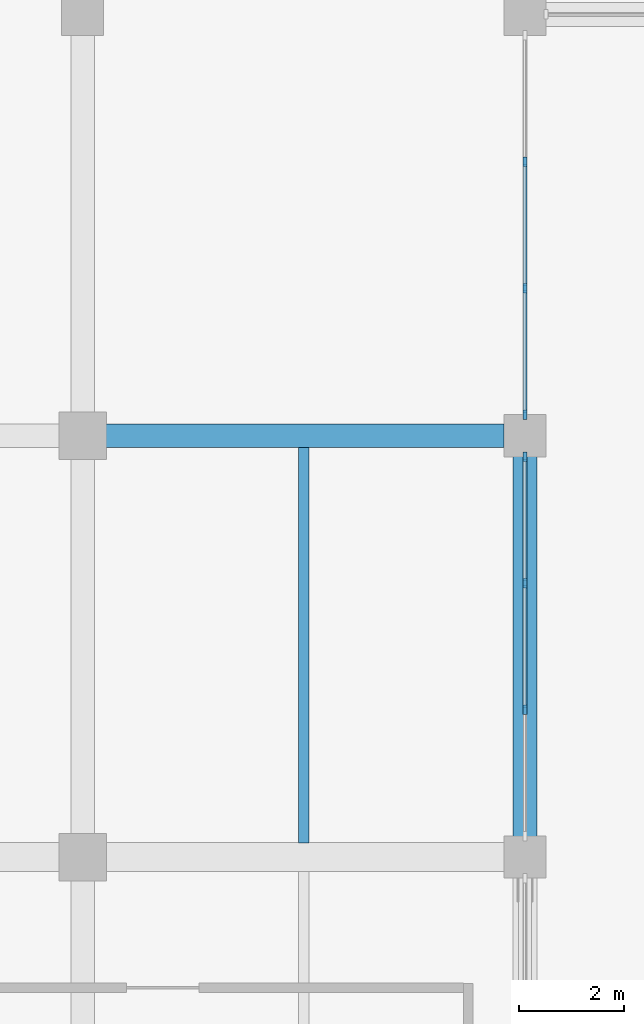
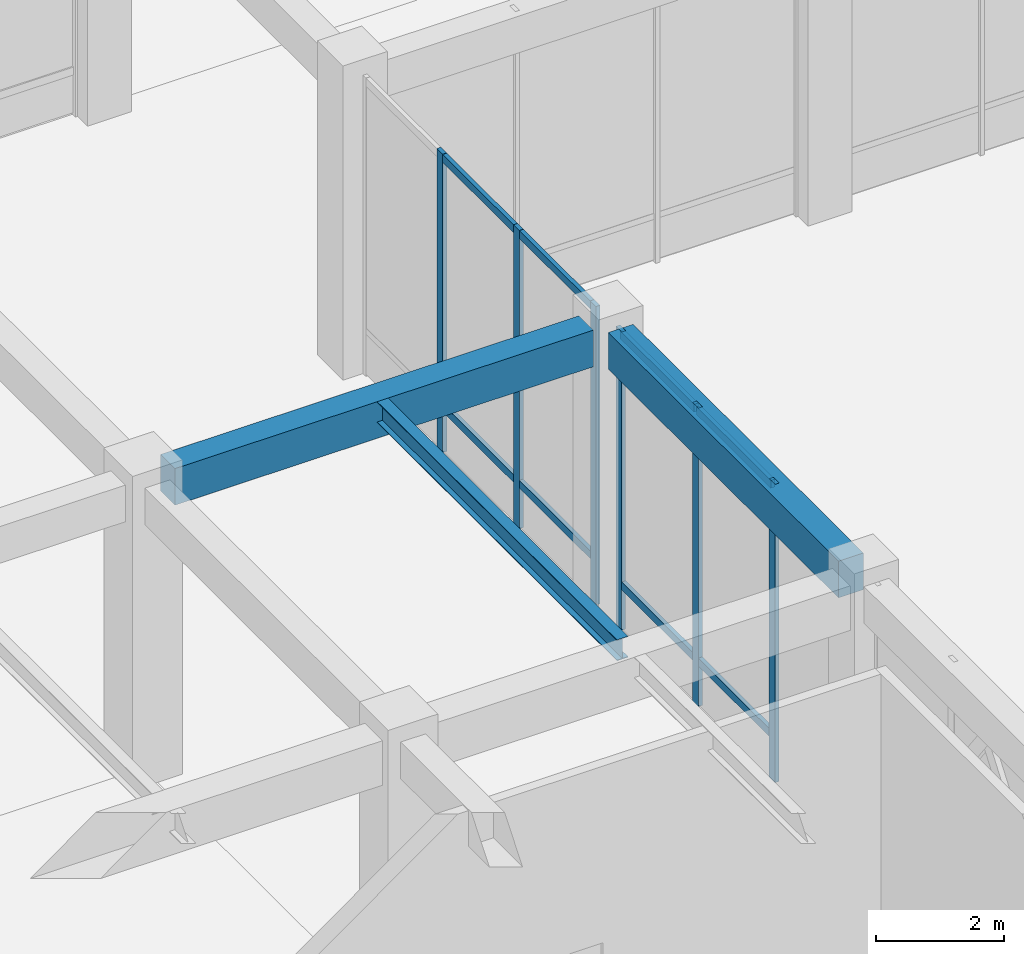
# One storey, part 25 of 76: 14 members, 3 beams, 2 elements without a shape of their own.
"""IFC4 building model written with IfcOpenShell, lengths in metres."""

from ifc_helpers import new_model, si_unit, direction, frame, origin, origin_2d, place, context, subcontext, project, spatial, rectangle, i_section, extrude, material, layer, layer_set, material_profile, profile_set, type_object, element, aggregate, save


model = new_model("IFC4")

# Units and contexts
model_context = context("Model", 3, precision=1e-05, world=origin(), true_north=direction((0.0, 1.0)))
body_context = subcontext(model_context, "Body", "Model", "MODEL_VIEW")
ifc_project = project(units=[si_unit("LENGTHUNIT", "METRE"), si_unit("AREAUNIT", "SQUARE_METRE"), si_unit("VOLUMEUNIT", "CUBIC_METRE"), si_unit("PLANEANGLEUNIT", "RADIAN"), si_unit("MASSUNIT", "GRAM", prefix="KILO")], contexts=[model_context])

# Site, building, storey
site_placement = place(None, origin())
site = spatial("IfcSite", under=ifc_project, at=site_placement, CompositionType="ELEMENT")
building_placement = place(site_placement, origin())
building = spatial("IfcBuilding", under=site, at=building_placement, Name="Naruveol Harbour Congress Hotel", CompositionType="ELEMENT")
storey_placement = place(building_placement, origin())
storey = spatial("IfcBuildingStorey", under=building, at=storey_placement, Name="L00", CompositionType="ELEMENT", Elevation=0.0)

# Beams
ifc_material_1 = material(Name="Concrete C40/50", Category="concrete")
ifc_material_profile_1 = material_profile(ifc_material_1, rectangle(XDim=0.449951171875, YDim=0.699951171875, at=origin_2d()), Name="RCB-450x700")
ifc_profile_set_1 = profile_set([ifc_material_profile_1], Name="Concrete C40/50")
beam_type_1 = type_object("IfcBeamType", Name="RC SPANDREL BEAM 450X700", PredefinedType="SPANDREL", material=ifc_profile_set_1)
beam_1_placement = place(storey_placement, frame((59.24609375, 56.0, 5.35009765625), z_axis=(1.0, 0.0, 0.0), x_axis=(0.0, 1.0, 0.0)))
element("IfcBeam", 1, at=beam_1_placement, inside=storey, type_object=beam_type_1, Name="Floor girder L01 SPB1", PredefinedType="SPANDREL", context=body_context, shape_type="SweptSolid", body=[
    extrude(rectangle(XDim=0.449951171875, YDim=0.699951171875, at=origin_2d()), origin(), (0.0, 0.0, 1.0), 7.557861328125),
])
beam_2_placement = place(storey_placement, frame((67.199951171875, 48.39599609375, 5.35009765625), z_axis=(0.0, 1.0, 0.0), x_axis=(-1.0, 0.0, 0.0)))
element("IfcBeam", 2, at=beam_2_placement, inside=storey, type_object=beam_type_1, Name="Transverse girder L01 SPB1", PredefinedType="SPANDREL", context=body_context, shape_type="SweptSolid", body=[
    extrude(rectangle(XDim=0.449951171875, YDim=0.699951171875, at=origin_2d()), origin(), (0.0, 0.0, 1.0), 7.2080078125),
])
ifc_material_2 = material(Name="Steel SN490", Category="steel")
ifc_material_profile_2 = material_profile(ifc_material_2, i_section(OverallWidth=0.199951171875, OverallDepth=0.39990234375, WebThickness=0.008056640625, FlangeThickness=0.012939453125, at=origin_2d()), Name="H-400x200x8x13")
ifc_profile_set_2 = profile_set([ifc_material_profile_2], Name="Steel SN490")
beam_type_2 = type_object("IfcBeamType", Name="STEEL SECONDARY JOIST H400", PredefinedType="JOIST", material=ifc_profile_set_2)
beam_3_placement = place(storey_placement, frame((63.0, 48.27099609375, 5.5), z_axis=(0.0, 1.0, 0.0), x_axis=(-1.0, 0.0, 0.0)))
element("IfcBeam", 3, at=beam_3_placement, inside=storey, type_object=beam_type_2, Name="Secondary floor joist L01 SJ1", PredefinedType="JOIST", context=body_context, shape_type="SweptSolid", body=[
    extrude(i_section(OverallWidth=0.199951171875, OverallDepth=0.39990234375, WebThickness=0.008056640625, FlangeThickness=0.012939453125, at=origin_2d()), origin(), (0.0, 0.0, 1.0), 7.508056640625),
])

# Curtain wall, members
ifc_material_3 = material(Name="Low-E Curtain Wall System", Category="glass")
ifc_layer = layer(ifc_material_3, 0.179931640625)
ifc_layer_set = layer_set([ifc_layer], Name="Low-E Curtain Wall System")
curtain_wall_type = type_object("IfcCurtainWallType", Name="UNITISED CURTAIN WALL CW-CTW-28 7200X5700", PredefinedType="USERDEFINED", material=ifc_layer_set)
curtain_wall_1_placement = place(storey_placement, origin())
curtain_wall_1 = element("IfcCurtainWall", 4, at=curtain_wall_1_placement, inside=storey, type_object=curtain_wall_type, Name="Unitised curtain wall CW-CTW-28 L00", ObjectType="UNITISED GLAZING", PredefinedType="USERDEFINED")
ifc_material_4 = material(Name="Anodised Aluminium 6063-T6", Category="aluminium")
ifc_material_profile_3 = material_profile(ifc_material_4, rectangle(XDim=0.074951171875, YDim=0.179931640625, at=origin_2d()), Name="ALU-75x180")
ifc_profile_set_3 = profile_set([ifc_material_profile_3], Name="Anodised Aluminium 6063-T6")
member_type_1 = type_object("IfcMemberType", Name="THERMAL ALUMINIUM MULLION 75X180", PredefinedType="MULLION", material=ifc_profile_set_3)
member_1_placement = place(storey_placement, frame((67.199951171875, 50.800048828125, 0.0), z_axis=(0.0, 0.0, 1.0), x_axis=(1.0, 0.0, 0.0)))
member_1 = element("IfcMember", 5, at=member_1_placement, type_object=member_type_1, Name="Curtain wall mullion CW-L00-0067-M1", PredefinedType="MULLION", context=body_context, shape_type="SweptSolid", body=[
    extrude(rectangle(XDim=0.074951171875, YDim=0.179931640625, at=origin_2d()), origin(), (0.0, 0.0, 1.0), 5.699951171875),
])
member_2_placement = place(storey_placement, frame((67.199951171875, 53.199951171875, 0.0), z_axis=(0.0, 0.0, 1.0), x_axis=(1.0, 0.0, 0.0)))
member_2 = element("IfcMember", 6, at=member_2_placement, type_object=member_type_1, Name="Curtain wall mullion CW-L00-0067-M2", PredefinedType="MULLION", context=body_context, shape_type="SweptSolid", body=[
    extrude(rectangle(XDim=0.074951171875, YDim=0.179931640625, at=origin_2d()), origin(), (0.0, 0.0, 1.0), 5.699951171875),
])
member_3_placement = place(storey_placement, frame((67.199951171875, 55.60009765625, 0.0), z_axis=(0.0, 0.0, 1.0), x_axis=(1.0, 0.0, 0.0)))
member_3 = element("IfcMember", 7, at=member_3_placement, type_object=member_type_1, Name="Curtain wall mullion CW-L00-0067-M3", PredefinedType="MULLION", context=body_context, shape_type="SweptSolid", body=[
    extrude(rectangle(XDim=0.074951171875, YDim=0.179931640625, at=origin_2d()), origin(), (0.0, 0.0, 1.0), 5.699951171875),
])

curtain_wall_2_placement = place(storey_placement, origin())
curtain_wall_2 = element("IfcCurtainWall", 8, at=curtain_wall_2_placement, inside=storey, type_object=curtain_wall_type, Name="Unitised curtain wall CW-CTW-28 L00", ObjectType="UNITISED GLAZING", PredefinedType="USERDEFINED")
member_4_placement = place(storey_placement, frame((67.199951171875, 56.39990234375, 0.0), z_axis=(0.0, 0.0, 1.0), x_axis=(1.0, 0.0, 0.0)))
member_4 = element("IfcMember", 9, at=member_4_placement, type_object=member_type_1, Name="Curtain wall mullion CW-L00-0069-M0", PredefinedType="MULLION", context=body_context, shape_type="SweptSolid", body=[
    extrude(rectangle(XDim=0.074951171875, YDim=0.179931640625, at=origin_2d()), origin(), (0.0, 0.0, 1.0), 5.699951171875),
])
member_5_placement = place(storey_placement, frame((67.199951171875, 58.800048828125, 0.0), z_axis=(0.0, 0.0, 1.0), x_axis=(1.0, 0.0, 0.0)))
member_5 = element("IfcMember", 10, at=member_5_placement, type_object=member_type_1, Name="Curtain wall mullion CW-L00-0069-M1", PredefinedType="MULLION", context=body_context, shape_type="SweptSolid", body=[
    extrude(rectangle(XDim=0.074951171875, YDim=0.179931640625, at=origin_2d()), origin(), (0.0, 0.0, 1.0), 5.699951171875),
])
member_6_placement = place(storey_placement, frame((67.199951171875, 61.199951171875, 0.0), z_axis=(0.0, 0.0, 1.0), x_axis=(1.0, 0.0, 0.0)))
member_6 = element("IfcMember", 11, at=member_6_placement, type_object=member_type_1, Name="Curtain wall mullion CW-L00-0069-M2", PredefinedType="MULLION", context=body_context, shape_type="SweptSolid", body=[
    extrude(rectangle(XDim=0.074951171875, YDim=0.179931640625, at=origin_2d()), origin(), (0.0, 0.0, 1.0), 5.699951171875),
])

# Member
ifc_material_5 = material(Name="Anodised Aluminium 6063-T6", Category="aluminium")
ifc_material_profile_4 = material_profile(ifc_material_5, rectangle(XDim=0.074951171875, YDim=0.14990234375, at=origin_2d()), Name="ALU-75x150")
ifc_profile_set_4 = profile_set([ifc_material_profile_4], Name="Anodised Aluminium 6063-T6")
member_type_2 = type_object("IfcMemberType", Name="THERMAL ALUMINIUM TRANSOM 75X150", PredefinedType="USERDEFINED", material=ifc_profile_set_4)
member_7_placement = place(storey_placement, frame((67.199951171875, 50.840087890625, 0.85009765625), z_axis=(0.0, 1.0, 0.0), x_axis=(-1.0, 0.0, 0.0)))
member_7 = element("IfcMember", 12, at=member_7_placement, type_object=member_type_2, Name="Curtain wall transom CW-L00-0067-T1.1", ObjectType="TRANSOM", PredefinedType="USERDEFINED", context=body_context, shape_type="SweptSolid", body=[
    extrude(rectangle(XDim=0.074951171875, YDim=0.14990234375, at=origin_2d()), origin(), (0.0, 0.0, 1.0), 2.31982421875),
])

member_8_placement = place(storey_placement, frame((67.199951171875, 50.840087890625, 5.6201171875), z_axis=(0.0, 1.0, 0.0), x_axis=(-1.0, 0.0, 0.0)))
member_8 = element("IfcMember", 13, at=member_8_placement, type_object=member_type_2, Name="Curtain wall transom CW-L00-0067-T1.2", ObjectType="TRANSOM", PredefinedType="USERDEFINED", context=body_context, shape_type="SweptSolid", body=[
    extrude(rectangle(XDim=0.074951171875, YDim=0.14990234375, at=origin_2d()), origin(), (0.0, 0.0, 1.0), 2.31982421875),
])

member_9_placement = place(storey_placement, frame((67.199951171875, 53.239990234375, 0.85009765625), z_axis=(0.0, 1.0, 0.0), x_axis=(-1.0, 0.0, 0.0)))
member_9 = element("IfcMember", 14, at=member_9_placement, type_object=member_type_2, Name="Curtain wall transom CW-L00-0067-T2.1", ObjectType="TRANSOM", PredefinedType="USERDEFINED", context=body_context, shape_type="SweptSolid", body=[
    extrude(rectangle(XDim=0.074951171875, YDim=0.14990234375, at=origin_2d()), origin(), (0.0, 0.0, 1.0), 2.320068359375),
])

member_10_placement = place(storey_placement, frame((67.199951171875, 53.239990234375, 5.6201171875), z_axis=(0.0, 1.0, 0.0), x_axis=(-1.0, 0.0, 0.0)))
member_10 = element("IfcMember", 15, at=member_10_placement, type_object=member_type_2, Name="Curtain wall transom CW-L00-0067-T2.2", ObjectType="TRANSOM", PredefinedType="USERDEFINED", context=body_context, shape_type="SweptSolid", body=[
    extrude(rectangle(XDim=0.074951171875, YDim=0.14990234375, at=origin_2d()), origin(), (0.0, 0.0, 1.0), 2.320068359375),
])

aggregate(curtain_wall_1, [member_1, member_2, member_3, member_7, member_8, member_9, member_10])

member_11_placement = place(storey_placement, frame((67.199951171875, 56.43994140625, 0.85009765625), z_axis=(0.0, 1.0, 0.0), x_axis=(-1.0, 0.0, 0.0)))
member_11 = element("IfcMember", 16, at=member_11_placement, type_object=member_type_2, Name="Curtain wall transom CW-L00-0069-T0.1", ObjectType="TRANSOM", PredefinedType="USERDEFINED", context=body_context, shape_type="SweptSolid", body=[
    extrude(rectangle(XDim=0.074951171875, YDim=0.14990234375, at=origin_2d()), origin(), (0.0, 0.0, 1.0), 2.320068359375),
])

member_12_placement = place(storey_placement, frame((67.199951171875, 56.43994140625, 5.6201171875), z_axis=(0.0, 1.0, 0.0), x_axis=(-1.0, 0.0, 0.0)))
member_12 = element("IfcMember", 17, at=member_12_placement, type_object=member_type_2, Name="Curtain wall transom CW-L00-0069-T0.2", ObjectType="TRANSOM", PredefinedType="USERDEFINED", context=body_context, shape_type="SweptSolid", body=[
    extrude(rectangle(XDim=0.074951171875, YDim=0.14990234375, at=origin_2d()), origin(), (0.0, 0.0, 1.0), 2.320068359375),
])

member_13_placement = place(storey_placement, frame((67.199951171875, 58.840087890625, 0.85009765625), z_axis=(0.0, 1.0, 0.0), x_axis=(-1.0, 0.0, 0.0)))
member_13 = element("IfcMember", 18, at=member_13_placement, type_object=member_type_2, Name="Curtain wall transom CW-L00-0069-T1.1", ObjectType="TRANSOM", PredefinedType="USERDEFINED", context=body_context, shape_type="SweptSolid", body=[
    extrude(rectangle(XDim=0.074951171875, YDim=0.14990234375, at=origin_2d()), origin(), (0.0, 0.0, 1.0), 2.31982421875),
])

member_14_placement = place(storey_placement, frame((67.199951171875, 58.840087890625, 5.6201171875), z_axis=(0.0, 1.0, 0.0), x_axis=(-1.0, 0.0, 0.0)))
member_14 = element("IfcMember", 19, at=member_14_placement, type_object=member_type_2, Name="Curtain wall transom CW-L00-0069-T1.2", ObjectType="TRANSOM", PredefinedType="USERDEFINED", context=body_context, shape_type="SweptSolid", body=[
    extrude(rectangle(XDim=0.074951171875, YDim=0.14990234375, at=origin_2d()), origin(), (0.0, 0.0, 1.0), 2.31982421875),
])

aggregate(curtain_wall_2, [member_4, member_5, member_6, member_11, member_12, member_13, member_14])

save(model, "model.ifc")
